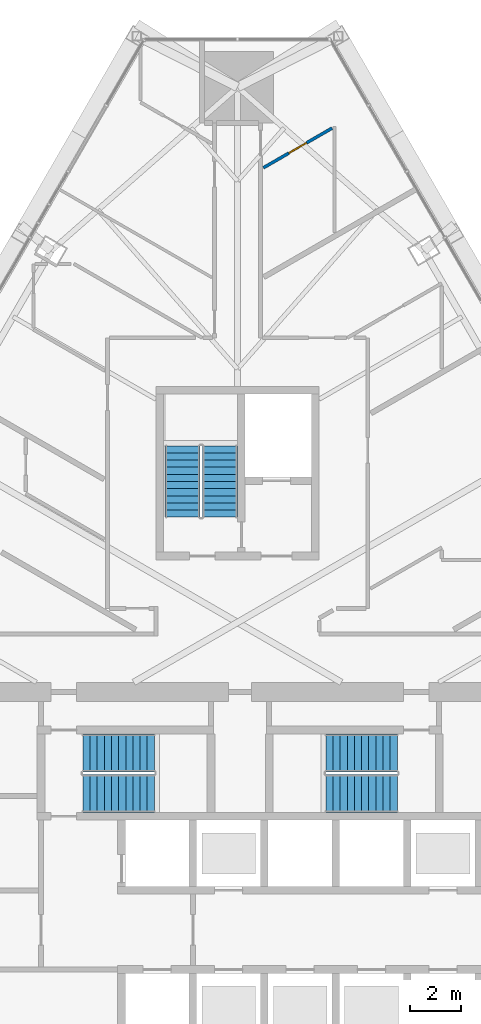
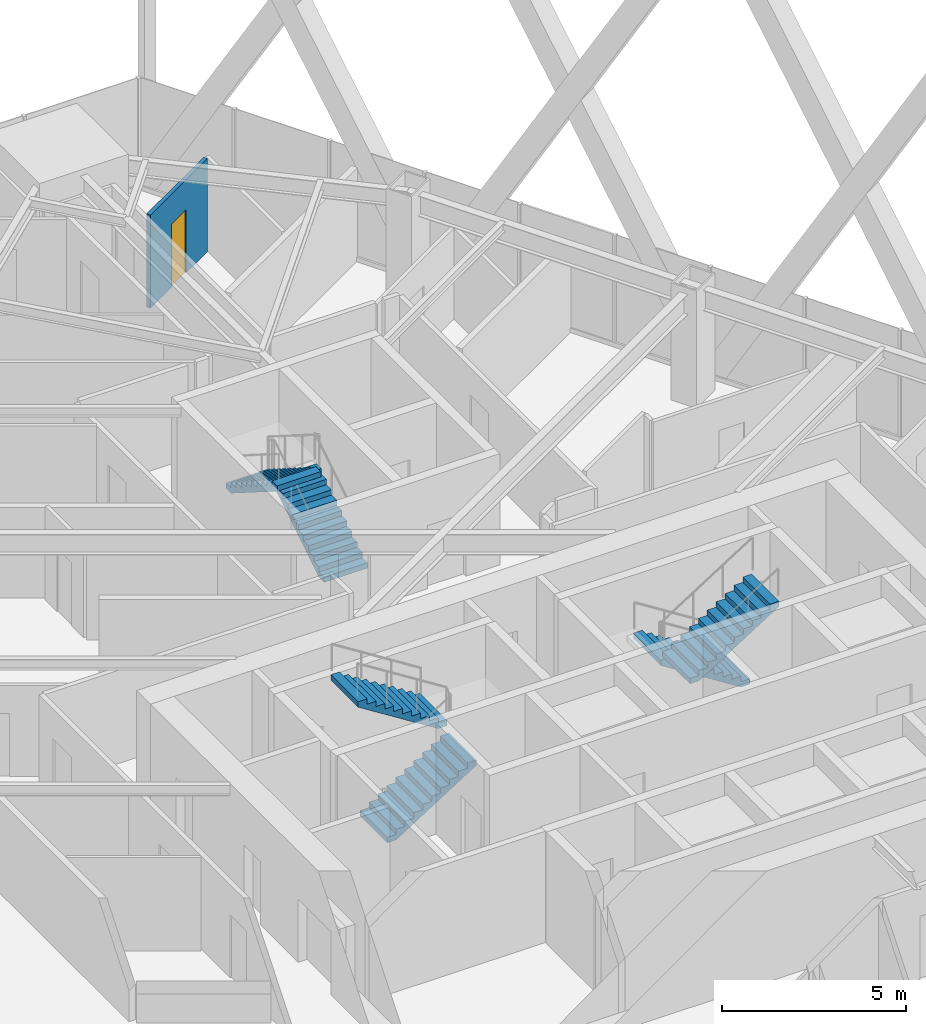
# One storey, part 22 of 24: 6 stair flights, 1 door, 1 wall, 1 opening, 3 elements without a shape of their own.
"""IFC4 building model written with IfcOpenShell, lengths in metres."""

from ifc_helpers import new_model, si_unit, direction, frame, frame_2d, origin, place, context, subcontext, project, spatial, polyline, rectangle, outline, extrude, material, layer, layer_set, type_object, element, fill, aggregate, save


model = new_model("IFC4")

# Units and contexts
model_context = context("Model", 3, precision=1e-05, world=origin(), true_north=direction((0.0, 1.0)))
body_context = subcontext(model_context, "Body", "Model", "MODEL_VIEW")
ifc_project = project(units=[si_unit("LENGTHUNIT", "METRE"), si_unit("AREAUNIT", "SQUARE_METRE"), si_unit("VOLUMEUNIT", "CUBIC_METRE"), si_unit("PLANEANGLEUNIT", "RADIAN"), si_unit("MASSUNIT", "GRAM", prefix="KILO")], contexts=[model_context])

# Site, building, storey
site_placement = place(None, origin())
site = spatial("IfcSite", under=ifc_project, at=site_placement, CompositionType="ELEMENT")
building_placement = place(site_placement, origin())
building = spatial("IfcBuilding", under=site, at=building_placement, Name="Firuza Gate Tower and Library", CompositionType="ELEMENT")
storey_placement = place(building_placement, frame((0.0, 0.0, 171.39990234375)))
storey = spatial("IfcBuildingStorey", under=building, at=storey_placement, Name="L39", CompositionType="ELEMENT", Elevation=171.39990234375)

# Wall, opening, door
ifc_material_1 = material(Name="Gypsum board partition")
ifc_layer = layer(ifc_material_1, 0.1201171875)
ifc_layer_set = layer_set([ifc_layer], Name="Wet-area partition 120 moisture-resistant board")
wall_type = type_object("IfcWallType", Name="Wet-area partition 120 moisture-resistant board", PredefinedType="PARTITIONING", material=ifc_layer_set)
wall_placement = place(storey_placement, frame((78.705322265625, 104.716064453125, 0.0), z_axis=(0.0, 0.0, 1.0), x_axis=(-0.866028856698, -0.499994019331, 0.0)))
wall = element("IfcWall", 1, at=wall_placement, inside=storey, type_object=wall_type, Name="f:L39:w044", PredefinedType="PARTITIONING", context=body_context, shape_type="SweptSolid", body=[
    extrude(rectangle(XDim=3.11279296875, YDim=0.1201171875, at=frame_2d((1.556396484375, 0.0))), origin(), (0.0, 0.0, 1.0), 3.10009765625),
])
opening_placement = place(wall_placement, frame((1.156494140625, 0.0, 0.0)))
opening = element("IfcOpeningElement", 2, at=opening_placement, cuts=wall, Name="Opening L39-29", PredefinedType="OPENING", context=body_context, shape_type="SweptSolid", body=[
    extrude(rectangle(XDim=0.800048828125, YDim=2.10009765625, at=frame_2d((0.39990234375, 1.050048828125))), frame((0.0, 0.070068359375, 0.0), z_axis=(0.0, -1.0, 0.0), x_axis=(1.0, 0.0, 0.0)), (0.0, 0.0, 1.0), 0.14013671875),
])
ifc_material_2 = material(Name="Timber door", Category="wood")
door_type = type_object("IfcDoorType", Name="Door 800 x 2100 timber leaf", OperationType="NOTDEFINED", PredefinedType="DOOR", material=ifc_material_2)
door_placement = place(opening_placement, origin())
door = element("IfcDoor", 3, at=door_placement, inside=storey, type_object=door_type, Name="f:L39:d029", OperationType="SINGLE_SWING_LEFT", OverallHeight=2.10009765625, OverallWidth=0.800048828125, PredefinedType="DOOR", context=body_context, shape_type="SweptSolid", body=[
    extrude(rectangle(XDim=0.800048828125, YDim=2.10009765625, at=frame_2d((0.39990234375, 1.050048828125))), frame((0.0, 0.02490234375, 0.0), z_axis=(0.0, -1.0, 0.0), x_axis=(1.0, 0.0, 0.0)), (0.0, 0.0, 1.0), 0.050048828125),
])
fill(opening, door)

# Stair, stair flights
ifc_material_3 = material(Name="Concrete C35/45", Category="concrete")
stair_type_1 = type_object("IfcStairType", Name="Exit stair ST16", PredefinedType="HALF_TURN_STAIR", material=ifc_material_3)
placement = place(storey_placement, origin())
stair_1 = element("IfcStair", 4, at=placement, inside=storey, type_object=stair_type_1, Name="L39 Stair ST3", PredefinedType="HALF_TURN_STAIR")
ifc_material_4 = material(Name="Concrete C35/45", Category="concrete")
stair_flight_type_1 = type_object("IfcStairFlightType", Name="Stair flight 11 risers 177.3 width 1370", PredefinedType="STRAIGHT", material=ifc_material_4)
stair_flight_1_placement = place(storey_placement, frame((74.31494140625, 89.469970703125, 0.0), z_axis=(0.0, 0.0, 1.0), x_axis=(0.0, 1.0, 0.0)))
stair_flight_1 = element("IfcStairFlight", 5, at=stair_flight_1_placement, type_object=stair_flight_type_1, Name="ST3 flight 1", NumberOfRisers=11, NumberOfTreads=10, PredefinedType="STRAIGHT", RiserHeight=0.177272727, TreadLength=0.28, context=body_context, shape_type="SweptSolid", body=[
    extrude(outline(polyline([(0.0, 0.0), (0.0, 0.17724609375), (0.280029296875, 0.17724609375), (0.280029296875, 0.3544921875), (0.56005859375, 0.3544921875), (0.56005859375, 0.53173828125), (0.840087890625, 0.53173828125), (0.840087890625, 0.708984375), (1.1201171875, 0.708984375), (1.1201171875, 0.886474609375), (1.39990234375, 0.886474609375), (1.39990234375, 1.063720703125), (1.679931640625, 1.063720703125), (1.679931640625, 1.240966796875), (1.9599609375, 1.240966796875), (1.9599609375, 1.418212890625), (2.239990234375, 1.418212890625), (2.239990234375, 1.595458984375), (2.52001953125, 1.595458984375), (2.52001953125, 1.772705078125), (2.800048828125, 1.772705078125), (2.800048828125, 1.949951171875), (2.800048828125, 1.59521484375), (0.2802734375, 0.0), (0.0, 0.0)])), frame((0.0, 0.68505859375, 0.0), z_axis=(0.0, -1.0, 0.0), x_axis=(1.0, 0.0, 0.0)), (0.0, 0.0, 1.0), 1.3701171875),
])
stair_flight_2_placement = place(storey_placement, frame((72.844970703125, 92.27001953125, 1.9501953125), z_axis=(0.0, 0.0, 1.0), x_axis=(0.0, -1.0, 0.0)))
stair_flight_2 = element("IfcStairFlight", 6, at=stair_flight_2_placement, type_object=stair_flight_type_1, Name="ST3 flight 2", NumberOfRisers=11, NumberOfTreads=10, PredefinedType="STRAIGHT", RiserHeight=0.177272727, TreadLength=0.28, context=body_context, shape_type="SweptSolid", body=[
    extrude(outline(polyline([(0.0, 0.0), (0.0, 0.17724609375), (0.280029296875, 0.17724609375), (0.280029296875, 0.3544921875), (0.56005859375, 0.3544921875), (0.56005859375, 0.53173828125), (0.840087890625, 0.53173828125), (0.840087890625, 0.708984375), (1.1201171875, 0.708984375), (1.1201171875, 0.886474609375), (1.39990234375, 0.886474609375), (1.39990234375, 1.063720703125), (1.679931640625, 1.063720703125), (1.679931640625, 1.240966796875), (1.9599609375, 1.240966796875), (1.9599609375, 1.418212890625), (2.239990234375, 1.418212890625), (2.239990234375, 1.595458984375), (2.52001953125, 1.595458984375), (2.52001953125, 1.772705078125), (2.800048828125, 1.772705078125), (2.800048828125, 1.949951171875), (2.800048828125, 1.59521484375), (0.2802734375, 0.0), (0.0, 0.0)])), frame((0.0, 0.68505859375, 0.0), z_axis=(0.0, -1.0, 0.0), x_axis=(1.0, 0.0, 0.0)), (0.0, 0.0, 1.0), 1.3701171875),
])
aggregate(stair_1, [stair_flight_1, stair_flight_2])

ifc_material_5 = material(Name="Concrete C35/45", Category="concrete")
stair_type_2 = type_object("IfcStairType", Name="Exit stair ST7", PredefinedType="HALF_TURN_STAIR", material=ifc_material_5)
stair_2 = element("IfcStair", 7, at=placement, inside=storey, type_object=stair_type_2, Name="L39 Stair ST1", PredefinedType="HALF_TURN_STAIR")
ifc_material_6 = material(Name="Concrete C35/45", Category="concrete")
stair_flight_type_2 = type_object("IfcStairFlightType", Name="Stair flight 11 risers 177.3 width 1490", PredefinedType="STRAIGHT", material=ifc_material_6)
stair_flight_3_placement = place(storey_placement, frame((68.93994140625, 78.64501953125, 0.0), z_axis=(0.0, 0.0, 1.0), x_axis=(1.0, 0.0, 0.0)))
stair_flight_3 = element("IfcStairFlight", 8, at=stair_flight_3_placement, type_object=stair_flight_type_2, Name="ST1 flight 1", NumberOfRisers=11, NumberOfTreads=10, PredefinedType="STRAIGHT", RiserHeight=0.177272727, TreadLength=0.28, context=body_context, shape_type="SweptSolid", body=[
    extrude(outline(polyline([(0.0, 0.0), (0.0, 0.17724609375), (0.280029296875, 0.17724609375), (0.280029296875, 0.3544921875), (0.56005859375, 0.3544921875), (0.56005859375, 0.53173828125), (0.840087890625, 0.53173828125), (0.840087890625, 0.708984375), (1.1201171875, 0.708984375), (1.1201171875, 0.886474609375), (1.39990234375, 0.886474609375), (1.39990234375, 1.063720703125), (1.679931640625, 1.063720703125), (1.679931640625, 1.240966796875), (1.9599609375, 1.240966796875), (1.9599609375, 1.418212890625), (2.239990234375, 1.418212890625), (2.239990234375, 1.595458984375), (2.52001953125, 1.595458984375), (2.52001953125, 1.772705078125), (2.800048828125, 1.772705078125), (2.800048828125, 1.949951171875), (2.800048828125, 1.59521484375), (0.2802734375, 0.0), (0.0, 0.0)])), frame((0.0, 0.7451171875, 0.0), z_axis=(0.0, -1.0, 0.0), x_axis=(1.0, 0.0, 0.0)), (0.0, 0.0, 1.0), 1.489990234375),
])
stair_flight_4_placement = place(storey_placement, frame((71.739990234375, 80.235107421875, 1.9501953125), z_axis=(0.0, 0.0, 1.0), x_axis=(-1.0, 0.0, 0.0)))
stair_flight_4 = element("IfcStairFlight", 9, at=stair_flight_4_placement, type_object=stair_flight_type_2, Name="ST1 flight 2", NumberOfRisers=11, NumberOfTreads=10, PredefinedType="STRAIGHT", RiserHeight=0.177272727, TreadLength=0.28, context=body_context, shape_type="SweptSolid", body=[
    extrude(outline(polyline([(0.0, 0.0), (0.0, 0.17724609375), (0.280029296875, 0.17724609375), (0.280029296875, 0.3544921875), (0.56005859375, 0.3544921875), (0.56005859375, 0.53173828125), (0.840087890625, 0.53173828125), (0.840087890625, 0.708984375), (1.1201171875, 0.708984375), (1.1201171875, 0.886474609375), (1.39990234375, 0.886474609375), (1.39990234375, 1.063720703125), (1.679931640625, 1.063720703125), (1.679931640625, 1.240966796875), (1.9599609375, 1.240966796875), (1.9599609375, 1.418212890625), (2.239990234375, 1.418212890625), (2.239990234375, 1.595458984375), (2.52001953125, 1.595458984375), (2.52001953125, 1.772705078125), (2.800048828125, 1.772705078125), (2.800048828125, 1.949951171875), (2.800048828125, 1.59521484375), (0.2802734375, 0.0), (0.0, 0.0)])), frame((0.0, 0.7451171875, 0.0), z_axis=(0.0, -1.0, 0.0), x_axis=(1.0, 0.0, 0.0)), (0.0, 0.0, 1.0), 1.489990234375),
])
aggregate(stair_2, [stair_flight_3, stair_flight_4])

stair_3 = element("IfcStair", 10, at=placement, inside=storey, type_object=stair_type_2, Name="L39 Stair ST2", PredefinedType="HALF_TURN_STAIR")
stair_flight_5_placement = place(storey_placement, frame((81.260009765625, 80.235107421875, 0.0), z_axis=(0.0, 0.0, 1.0), x_axis=(-1.0, 0.0, 0.0)))
stair_flight_5 = element("IfcStairFlight", 11, at=stair_flight_5_placement, type_object=stair_flight_type_2, Name="ST2 flight 1", NumberOfRisers=11, NumberOfTreads=10, PredefinedType="STRAIGHT", RiserHeight=0.177272727, TreadLength=0.28, context=body_context, shape_type="SweptSolid", body=[
    extrude(outline(polyline([(0.0, 0.0), (0.0, 0.17724609375), (0.280029296875, 0.17724609375), (0.280029296875, 0.3544921875), (0.56005859375, 0.3544921875), (0.56005859375, 0.53173828125), (0.840087890625, 0.53173828125), (0.840087890625, 0.708984375), (1.1201171875, 0.708984375), (1.1201171875, 0.886474609375), (1.39990234375, 0.886474609375), (1.39990234375, 1.063720703125), (1.679931640625, 1.063720703125), (1.679931640625, 1.240966796875), (1.9599609375, 1.240966796875), (1.9599609375, 1.418212890625), (2.239990234375, 1.418212890625), (2.239990234375, 1.595458984375), (2.52001953125, 1.595458984375), (2.52001953125, 1.772705078125), (2.800048828125, 1.772705078125), (2.800048828125, 1.949951171875), (2.800048828125, 1.59521484375), (0.2802734375, 0.0), (0.0, 0.0)])), frame((0.0, 0.7451171875, 0.0), z_axis=(0.0, -1.0, 0.0), x_axis=(1.0, 0.0, 0.0)), (0.0, 0.0, 1.0), 1.489990234375),
])
stair_flight_6_placement = place(storey_placement, frame((78.4599609375, 78.64501953125, 1.9501953125), z_axis=(0.0, 0.0, 1.0), x_axis=(1.0, 0.0, 0.0)))
stair_flight_6 = element("IfcStairFlight", 12, at=stair_flight_6_placement, type_object=stair_flight_type_2, Name="ST2 flight 2", NumberOfRisers=11, NumberOfTreads=10, PredefinedType="STRAIGHT", RiserHeight=0.177272727, TreadLength=0.28, context=body_context, shape_type="SweptSolid", body=[
    extrude(outline(polyline([(0.0, 0.0), (0.0, 0.17724609375), (0.280029296875, 0.17724609375), (0.280029296875, 0.3544921875), (0.56005859375, 0.3544921875), (0.56005859375, 0.53173828125), (0.840087890625, 0.53173828125), (0.840087890625, 0.708984375), (1.1201171875, 0.708984375), (1.1201171875, 0.886474609375), (1.39990234375, 0.886474609375), (1.39990234375, 1.063720703125), (1.679931640625, 1.063720703125), (1.679931640625, 1.240966796875), (1.9599609375, 1.240966796875), (1.9599609375, 1.418212890625), (2.239990234375, 1.418212890625), (2.239990234375, 1.595458984375), (2.52001953125, 1.595458984375), (2.52001953125, 1.772705078125), (2.800048828125, 1.772705078125), (2.800048828125, 1.949951171875), (2.800048828125, 1.59521484375), (0.2802734375, 0.0), (0.0, 0.0)])), frame((0.0, 0.7451171875, 0.0), z_axis=(0.0, -1.0, 0.0), x_axis=(1.0, 0.0, 0.0)), (0.0, 0.0, 1.0), 1.489990234375),
])
aggregate(stair_3, [stair_flight_5, stair_flight_6])

save(model, "model.ifc")
